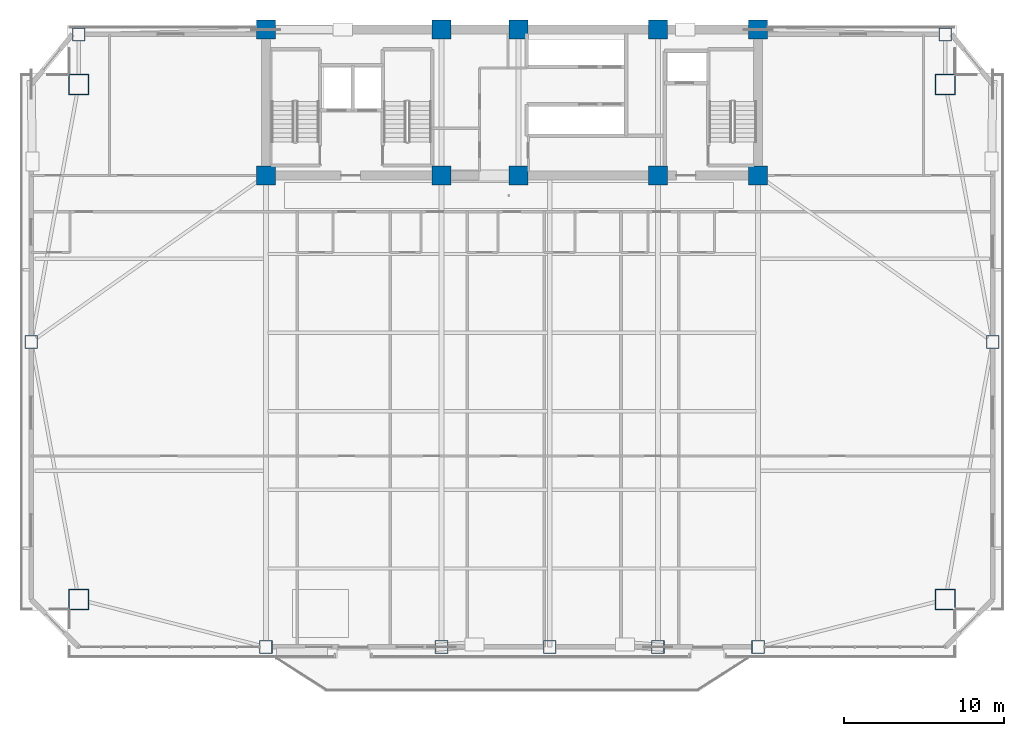
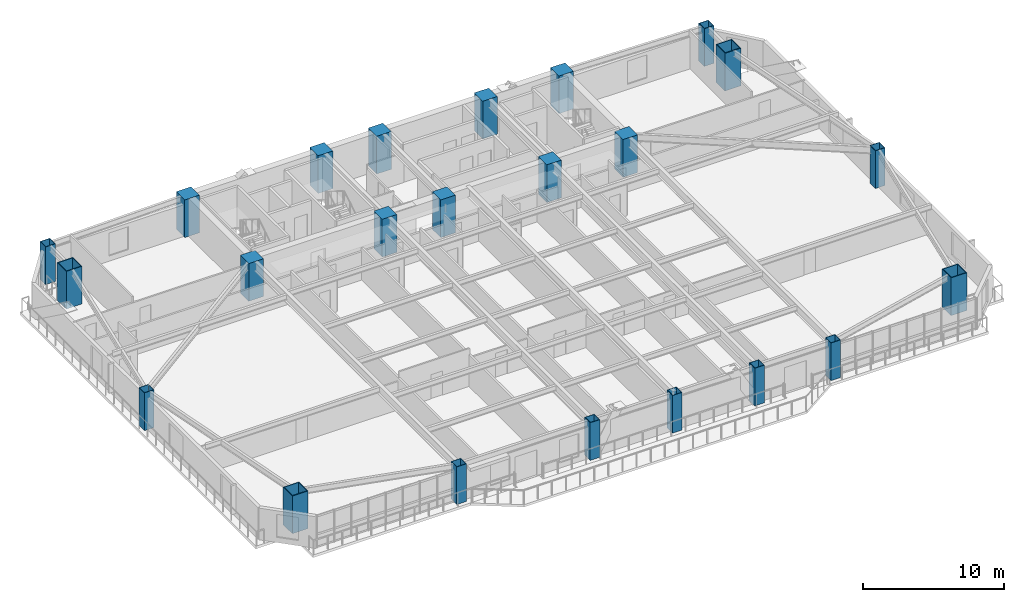
# One storey, part 1 of 17: 23 columns.
"""IFC4 building model written with IfcOpenShell, lengths in metres."""

import ifcopenshell
import ifcopenshell.guid

model = None  # the IFC model being written
_history = None  # IfcOwnerHistory: only IFC2X3 demands one
_inside = {}  # id of a spatial element -> (the spatial element, [elements in it])
_under = {}  # id of a project, library or spatial element -> (it, [spatial elements below it])
_declared = {}  # id of a project -> (the project, [libraries it declares])
_typed = {}  # id of a type object -> (the type object, [elements of that type])
_made_of = {}  # id of a material, layer set ... -> (it, [elements and type objects made of it])


def new_model(schema):
    """Start an empty IFC model of exactly this schema.

    Asked for "IFC4X3", IfcOpenShell would pick the latest addendum, in which some entities
    have other attributes; the version numbers below select the first issue.
    IFC2X3 requires an IfcOwnerHistory on every rooted entity: one is made here for all.
    """
    global model, _history
    if schema == "IFC4X3":
        model = ifcopenshell.file(schema_version=(4, 3, 0, 0))
    else:
        model = ifcopenshell.file(schema=schema)
    _inside.clear()
    _under.clear()
    _declared.clear()
    _typed.clear()
    _made_of.clear()
    _history = None
    if model.schema == "IFC2X3":
        org = make("IfcOrganization", Name="unknown")
        user = make(
            "IfcPersonAndOrganization",
            ThePerson=make("IfcPerson", FamilyName="unknown"),
            TheOrganization=org,
        )
        app = make(
            "IfcApplication",
            ApplicationDeveloper=org,
            Version="unknown",
            ApplicationFullName="unknown",
            ApplicationIdentifier="unknown",
        )
        _history = make(
            "IfcOwnerHistory",
            OwningUser=user,
            OwningApplication=app,
            ChangeAction="ADDED",
            CreationDate=0,
        )
    return model


def make(cls, **values):
    """One entity of the class cls with the attributes given. An attribute that is None is left unset."""
    return model.create_entity(
        cls, **{name: value for name, value in values.items() if value is not None}
    )


def rooted(cls, **values):
    """An entity with a GlobalId (a new one), such as an element, a storey or a relation."""
    return make(cls, GlobalId=ifcopenshell.guid.new(), OwnerHistory=_history, **values)


def si_unit(unit_type, name, prefix=None):
    """IfcSIUnit, for example si_unit("LENGTHUNIT", "METRE", prefix="MILLI")."""
    return make("IfcSIUnit", UnitType=unit_type, Prefix=prefix, Name=name)


def assignment(units):
    """IfcUnitAssignment: the units of a project."""
    return None if units is None else make("IfcUnitAssignment", Units=units)


def point(xyz):
    """IfcCartesianPoint."""
    return None if xyz is None else make("IfcCartesianPoint", Coordinates=xyz)


def direction(xyz):
    """IfcDirection."""
    return None if xyz is None else make("IfcDirection", DirectionRatios=xyz)


def frame(location, z_axis=None, x_axis=None):
    """IfcAxis2Placement3D, a coordinate frame: its origin and axes. An axis left out is left unset."""
    return make(
        "IfcAxis2Placement3D",
        Location=point(location),
        Axis=direction(z_axis),
        RefDirection=direction(x_axis),
    )


def frame_2d(location, x_axis=None):
    """IfcAxis2Placement2D, a coordinate frame in the plane: its origin and x axis."""
    return make(
        "IfcAxis2Placement2D", Location=point(location), RefDirection=direction(x_axis)
    )


def origin():
    """The frame at (0, 0, 0) with its axes left unset."""
    return frame((0.0, 0.0, 0.0))


def origin_2d():
    """The frame at (0, 0) in the plane with its x axis left unset."""
    return frame_2d((0.0, 0.0))


def place(relative_to, where):
    """IfcLocalPlacement: puts the frame where relative to a parent placement (None: the world)."""
    return make(
        "IfcLocalPlacement", PlacementRelTo=relative_to, RelativePlacement=where
    )


def context(
    kind, dimensions, precision=None, world=None, true_north=None, identifier=None
):
    """IfcGeometricRepresentationContext, for example the 3D "Model" context."""
    return make(
        "IfcGeometricRepresentationContext",
        ContextIdentifier=identifier,
        ContextType=kind,
        CoordinateSpaceDimension=dimensions,
        Precision=precision,
        WorldCoordinateSystem=world,
        TrueNorth=true_north,
    )


def subcontext(parent, identifier, kind, view, scale=None):
    """IfcGeometricRepresentationSubContext, for example "Body" below "Model"."""
    return make(
        "IfcGeometricRepresentationSubContext",
        ContextIdentifier=identifier,
        ContextType=kind,
        ParentContext=parent,
        TargetScale=scale,
        TargetView=view,
    )


def project(units=None, contexts=None):
    """IfcProject with its units and contexts."""
    return rooted(
        "IfcProject",
        Name="project",
        RepresentationContexts=contexts,
        UnitsInContext=assignment(units),
    )


def spatial(cls, under=None, at=None, **own):
    """A site, building, storey or space (cls), placed at a placement, below another one or the project."""
    s = rooted(cls, ObjectPlacement=at, **own)
    if under is not None:
        _under.setdefault(under.id(), (under, []))[1].append(s)
    return s


def profile(cls, at=None, kind="AREA", **sizes):
    """A parametric profile (cls). Its sizes go by their IFC names, for example OverallWidth=200.0."""
    return make(cls, ProfileType=kind, Position=at, **sizes)


def rectangle(**sizes):
    """IfcRectangleProfileDef."""
    return profile("IfcRectangleProfileDef", **sizes)


def hollow_rectangle(**sizes):
    """IfcRectangleHollowProfileDef."""
    return profile("IfcRectangleHollowProfileDef", **sizes)


def extrude(swept, where, along, depth):
    """IfcExtrudedAreaSolid: the profile swept, set in the frame where, extruded along a direction by depth."""
    return make(
        "IfcExtrudedAreaSolid",
        SweptArea=swept,
        Position=where,
        ExtrudedDirection=direction(along),
        Depth=depth,
    )


def shape(context_of_items, identifier, shape_type, items):
    """IfcShapeRepresentation: the items that make up one representation, for example the "Body"."""
    return make(
        "IfcShapeRepresentation",
        ContextOfItems=context_of_items,
        RepresentationIdentifier=identifier,
        RepresentationType=shape_type,
        Items=items,
    )


def source(mapping_origin, context_of_items, identifier, shape_type, items):
    """IfcRepresentationMap: a shape defined once, which mapped items show again and again."""
    return make(
        "IfcRepresentationMap",
        MappingOrigin=mapping_origin,
        MappedRepresentation=shape(context_of_items, identifier, shape_type, items),
    )


def transform(
    local_origin,
    x_axis=None,
    y_axis=None,
    z_axis=None,
    scale=None,
    scale2=None,
    scale3=None,
    uniform=True,
):
    """IfcCartesianTransformationOperator3D, or its non-uniform kind. x_axis, y_axis, z_axis: its Axis1, 2, 3."""
    if uniform:
        return make(
            "IfcCartesianTransformationOperator3D",
            Axis1=direction(x_axis),
            Axis2=direction(y_axis),
            LocalOrigin=point(local_origin),
            Scale=scale,
            Axis3=direction(z_axis),
        )
    return make(
        "IfcCartesianTransformationOperator3DnonUniform",
        Axis1=direction(x_axis),
        Axis2=direction(y_axis),
        LocalOrigin=point(local_origin),
        Scale=scale,
        Axis3=direction(z_axis),
        Scale2=scale2,
        Scale3=scale3,
    )


def mapped(mapping_source, mapping_target):
    """IfcMappedItem: shows the shape of a source again, moved by a transform."""
    return make(
        "IfcMappedItem", MappingSource=mapping_source, MappingTarget=mapping_target
    )


def material(Name=None, Category=None):
    """IfcMaterial."""
    return make("IfcMaterial", Name=Name, Category=Category)


def material_profile(
    of_material, cross_section, Name=None, Category=None, Priority=None
):
    """IfcMaterialProfile: a cross section and its material."""
    return make(
        "IfcMaterialProfile",
        Name=Name,
        Material=of_material,
        Profile=cross_section,
        Priority=Priority,
        Category=Category,
    )


def profile_set(profiles, Name=None, composite=None):
    """IfcMaterialProfileSet."""
    return make(
        "IfcMaterialProfileSet",
        Name=Name,
        MaterialProfiles=profiles,
        CompositeProfile=composite,
    )


def made_of(thing, what):
    """Note that an element or type object is made of a material, layer set ...; save() writes the relation."""
    if what is not None:
        _made_of.setdefault(what.id(), (what, []))[1].append(thing)
    return thing


def type_object(cls, material=None, **own):
    """A type object (cls), such as IfcWallType, which elements share."""
    return made_of(rooted(cls, **own), material)


def element(
    cls,
    number,
    at=None,
    inside=None,
    cuts=None,
    type_object=None,
    material=None,
    context=None,
    identifier="Body",
    shape_type=None,
    held_by="IfcProductDefinitionShape",
    body=None,
    shapes=None,
    **own,
):
    """One element of the class cls, such as IfcWall. Its Tag is "e" and its number.

    at: its placement. inside: the storey or other place that contains it. cuts: it is an
    opening in that element (IfcRelVoidsElement). A single representation is given by context,
    identifier, shape_type and body (its items); several are given by shapes. held_by: the class
    of the entity that holds the representations. save() writes the other relations.
    """
    e = rooted(cls, Tag="e%d" % number, ObjectPlacement=at, **own)
    if body is not None:
        shapes = [shape(context, identifier, shape_type, body)]
    if shapes is not None:
        e.Representation = make(held_by, Representations=shapes)
    if inside is not None:
        _inside.setdefault(inside.id(), (inside, []))[1].append(e)
    if cuts is not None:
        rooted(
            "IfcRelVoidsElement", RelatingBuildingElement=cuts, RelatedOpeningElement=e
        )
    if type_object is not None:
        _typed.setdefault(type_object.id(), (type_object, []))[1].append(e)
    return made_of(e, material)


def aggregate(whole, parts):
    """IfcRelAggregates: a whole, such as a stair, and the parts it consists of."""
    return rooted("IfcRelAggregates", RelatingObject=whole, RelatedObjects=parts)


def save(model, path):
    """Write the relations noted so far, then the file.

    IfcRelAggregates (storeys below a building ...), IfcRelContainedInSpatialStructure (elements
    in a storey), IfcRelDefinesByType, IfcRelAssociatesMaterial and IfcRelDeclares: one each for
    every whole, place, type object, material and project.
    """
    for whole, parts in _under.values():
        aggregate(whole, parts)
    for where, things in _inside.values():
        rooted(
            "IfcRelContainedInSpatialStructure",
            RelatedElements=things,
            RelatingStructure=where,
        )
    for kind, things in _typed.values():
        rooted("IfcRelDefinesByType", RelatedObjects=things, RelatingType=kind)
    for what, things in _made_of.values():
        rooted("IfcRelAssociatesMaterial", RelatedObjects=things, RelatingMaterial=what)
    for by, libraries in _declared.values():
        rooted("IfcRelDeclares", RelatingContext=by, RelatedDefinitions=libraries)
    model.write(path)


model = new_model("IFC4")

# Units and contexts
model_context = context("Model", 3, precision=1e-05, world=origin(), true_north=direction((0.0, 1.0)))
body_context = subcontext(model_context, "Body", "Model", "MODEL_VIEW")
ifc_project = project(units=[si_unit("LENGTHUNIT", "METRE"), si_unit("AREAUNIT", "SQUARE_METRE"), si_unit("VOLUMEUNIT", "CUBIC_METRE"), si_unit("PLANEANGLEUNIT", "RADIAN"), si_unit("MASSUNIT", "GRAM", prefix="KILO")], contexts=[model_context])

# Site, building, storey
site_placement = place(None, origin())
site = spatial("IfcSite", under=ifc_project, at=site_placement, CompositionType="ELEMENT")
building_placement = place(site_placement, origin())
building = spatial("IfcBuilding", under=site, at=building_placement, Name="Giltprow Tower", CompositionType="ELEMENT")
storey_placement = place(building_placement, frame((0.0, 0.0, 137.699951171875)))
storey = spatial("IfcBuildingStorey", under=building, at=storey_placement, Name="L33", CompositionType="ELEMENT", Elevation=137.699951171875)

# Columns
ifc_material_1 = material(Name="Concrete C60", Category="concrete")
ifc_material_profile_1 = material_profile(ifc_material_1, rectangle(XDim=1.199951171875, YDim=1.199951171875, at=origin_2d()), Name="RC 1200x1200")
ifc_profile_set_1 = profile_set([ifc_material_profile_1], Name="Concrete C60")
column_type_1 = type_object("IfcColumnType", Name="PIL-RC-1200-C60", PredefinedType="PILASTER", material=ifc_profile_set_1)
shared_shape_1 = source(origin(), body_context, "Body", "SweptSolid", [
    extrude(rectangle(XDim=1.199951171875, YDim=1.199951171875, at=origin_2d()), origin(), (0.0, 0.0, 1.0), 3.27001953125),
])
for number, where, z_axis, x_axis, name in (
    (1, (19.85009765625, 37.449951171875, 0.0), (0.0, 0.0, 1.0), (1.0, 0.0, 0.0), "L33 Core Boundary Pilaster 1-1"),
    (2, (19.85009765625, 46.550048828125, 0.0), (0.0, 0.0, 1.0), (1.0, 0.0, 0.0), "L33 Core Boundary Pilaster 1-2"),
    (3, (30.800048828125, 37.449951171875, 0.0), (0.0, 0.0, 1.0), (1.0, 0.0, 0.0), "L33 Core Boundary Pilaster 2-1"),
    (4, (30.800048828125, 46.550048828125, 0.0), (0.0, 0.0, 1.0), (1.0, 0.0, 0.0), "L33 Core Boundary Pilaster 2-2"),
    (5, (35.60009765625, 37.449951171875, 0.0), (0.0, 0.0, 1.0), (1.0, 0.0, 0.0), "L33 Core Boundary Pilaster 3-1"),
    (6, (35.60009765625, 46.550048828125, 0.0), (0.0, 0.0, 1.0), (1.0, 0.0, 0.0), "L33 Core Boundary Pilaster 3-2"),
    (7, (44.300048828125, 37.449951171875, 0.0), (0.0, 0.0, 1.0), (1.0, 0.0, 0.0), "L33 Core Boundary Pilaster 4-1"),
    (8, (44.300048828125, 46.550048828125, 0.0), (0.0, 0.0, 1.0), (1.0, 0.0, 0.0), "L33 Core Boundary Pilaster 4-2"),
    (9, (50.550048828125, 37.449951171875, 0.0), (0.0, 0.0, 1.0), (1.0, 0.0, 0.0), "L33 Core Boundary Pilaster 5-1"),
    (10, (50.550048828125, 46.550048828125, 0.0), (0.0, 0.0, 1.0), (1.0, 0.0, 0.0), "L33 Core Boundary Pilaster 5-2"),
):
    element("IfcColumn", number, at=place(storey_placement, frame(where, z_axis=z_axis, x_axis=x_axis)), inside=storey, type_object=column_type_1, Name=name, PredefinedType="PILASTER", context=body_context, shape_type="MappedRepresentation", body=[
        mapped(shared_shape_1, transform((0.0, 0.0, 0.0), x_axis=(1.0, 0.0, 0.0), y_axis=(0.0, 1.0, 0.0), z_axis=(0.0, 0.0, 1.0), scale=1.0)),
    ])
ifc_material_2 = material(Name="Structural steel Q420GJC", Category="steel")
ifc_material_profile_2 = material_profile(ifc_material_2, hollow_rectangle(XDim=1.300048828125, YDim=1.300048828125, WallThickness=0.06005859375, at=origin_2d()), Name="BOX 1300x1300x60")
ifc_profile_set_2 = profile_set([ifc_material_profile_2], Name="Structural steel Q420GJC")
column_type_2 = type_object("IfcColumnType", Name="COL-BOX-1300x1300x60", PredefinedType="COLUMN", material=ifc_profile_set_2)
shared_shape_2 = source(origin(), body_context, "Body", "SweptSolid", [
    extrude(hollow_rectangle(XDim=1.300048828125, YDim=1.300048828125, WallThickness=0.06005859375, at=origin_2d()), origin(), (0.0, 0.0, 1.0), 3.27001953125),
])
for number, where, z_axis, x_axis, name in (
    (11, (8.178955078125, 11.010009765625, 0.0), (0.0, 0.0, 1.0), (1.0, 0.0, 0.0), "L33 Mega-Column MC_SW"),
    (12, (62.220947265625, 11.010009765625, 0.0), (0.0, 0.0, 1.0), (1.0, 0.0, 0.0), "L33 Mega-Column MC_SE"),
    (13, (8.178955078125, 43.134033203125, 0.0), (0.0, 0.0, 1.0), (1.0, 0.0, 0.0), "L33 Mega-Column MC_NW"),
    (14, (62.220947265625, 43.134033203125, 0.0), (0.0, 0.0, 1.0), (1.0, 0.0, 0.0), "L33 Mega-Column MC_NE"),
):
    element("IfcColumn", number, at=place(storey_placement, frame(where, z_axis=z_axis, x_axis=x_axis)), inside=storey, type_object=column_type_2, Name=name, PredefinedType="COLUMN", context=body_context, shape_type="MappedRepresentation", body=[
        mapped(shared_shape_2, transform((0.0, 0.0, 0.0), x_axis=(1.0, 0.0, 0.0), y_axis=(0.0, 1.0, 0.0), z_axis=(0.0, 0.0, 1.0), scale=1.0)),
    ])
ifc_material_profile_3 = material_profile(ifc_material_2, hollow_rectangle(XDim=0.800048828125, YDim=0.800048828125, WallThickness=0.035888671875, at=origin_2d()), Name="BOX 800x800x36")
ifc_profile_set_3 = profile_set([ifc_material_profile_3], Name="Structural steel Q420GJC")
column_type_3 = type_object("IfcColumnType", Name="COL-BOX-800x800x36", PredefinedType="COLUMN", material=ifc_profile_set_3)
shared_shape_3 = source(origin(), body_context, "Body", "SweptSolid", [
    extrude(hollow_rectangle(XDim=0.800048828125, YDim=0.800048828125, WallThickness=0.035888671875, at=origin_2d()), origin(), (0.0, 0.0, 1.0), 3.27001953125),
])
for number, where, z_axis, x_axis, name in (
    (15, (19.85009765625, 8.044921875, 0.0), (0.0, 0.0, 1.0), (1.0, 0.0, 0.0), "L33 Perimeter Column S1"),
    (16, (30.800048828125, 8.044921875, 0.0), (0.0, 0.0, 1.0), (1.0, 0.0, 0.0), "L33 Perimeter Column S2"),
    (17, (37.550048828125, 8.044921875, 0.0), (0.0, 0.0, 1.0), (1.0, 0.0, 0.0), "L33 Perimeter Column S_MID"),
    (18, (44.300048828125, 8.044921875, 0.0), (0.0, 0.0, 1.0), (1.0, 0.0, 0.0), "L33 Perimeter Column S3"),
    (19, (50.550048828125, 8.044921875, 0.0), (0.0, 0.0, 1.0), (1.0, 0.0, 0.0), "L33 Perimeter Column S4"),
    (20, (5.214111328125, 27.072021484375, 0.0), (0.0, 0.0, 1.0), (1.0, 0.0, 0.0), "L33 Perimeter Column W_MID"),
    (21, (65.18603515625, 27.072021484375, 0.0), (0.0, 0.0, 1.0), (1.0, 0.0, 0.0), "L33 Perimeter Column E_MID"),
    (22, (8.178955078125, 46.25, 0.0), (0.0, 0.0, 1.0), (1.0, 0.0, 0.0), "L33 Perimeter Column N_W"),
    (23, (62.220947265625, 46.25, 0.0), (0.0, 0.0, 1.0), (1.0, 0.0, 0.0), "L33 Perimeter Column N_E"),
):
    element("IfcColumn", number, at=place(storey_placement, frame(where, z_axis=z_axis, x_axis=x_axis)), inside=storey, type_object=column_type_3, Name=name, PredefinedType="COLUMN", context=body_context, shape_type="MappedRepresentation", body=[
        mapped(shared_shape_3, transform((0.0, 0.0, 0.0), x_axis=(1.0, 0.0, 0.0), y_axis=(0.0, 1.0, 0.0), z_axis=(0.0, 0.0, 1.0), scale=1.0)),
    ])

save(model, "model.ifc")
